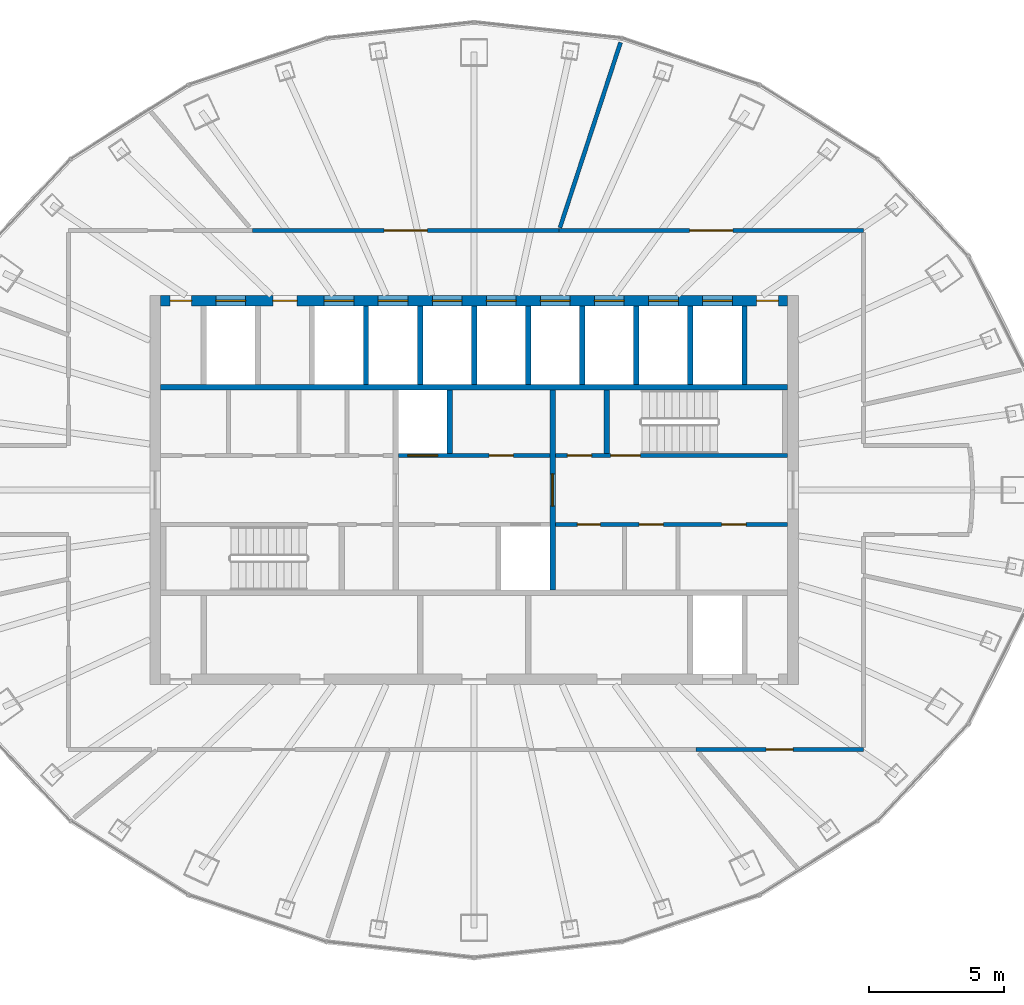
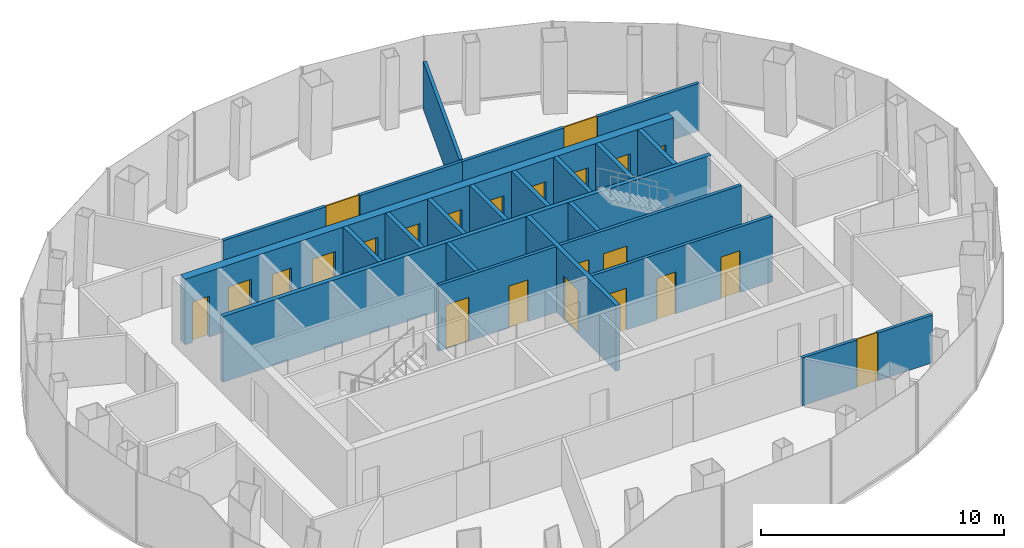
# One storey, part 9 of 11: 23 doors, 20 walls, 23 openings.
"""IFC4 building model written with IfcOpenShell, lengths in metres."""

from ifc_helpers import new_model, si_unit, direction, frame, frame_2d, origin, place, context, subcontext, project, spatial, rectangle, extrude, material, layer, layer_set, type_object, element, fill, save


model = new_model("IFC4")

# Units and contexts
model_context = context("Model", 3, precision=1e-05, world=origin(), true_north=direction((0.0, 1.0)))
body_context = subcontext(model_context, "Body", "Model", "MODEL_VIEW")
ifc_project = project(units=[si_unit("LENGTHUNIT", "METRE"), si_unit("AREAUNIT", "SQUARE_METRE"), si_unit("VOLUMEUNIT", "CUBIC_METRE"), si_unit("PLANEANGLEUNIT", "RADIAN"), si_unit("MASSUNIT", "GRAM", prefix="KILO")], contexts=[model_context])

# Site, building, storey
site_placement = place(None, origin())
site = spatial("IfcSite", under=ifc_project, at=site_placement, CompositionType="ELEMENT")
building_placement = place(site_placement, origin())
building = spatial("IfcBuilding", under=site, at=building_placement, Name="Siaravel Broadcast Tower", CompositionType="ELEMENT")
storey_placement = place(building_placement, frame((0.0, 0.0, 243.0)))
storey = spatial("IfcBuildingStorey", under=building, at=storey_placement, Name="L59", CompositionType="ELEMENT", Elevation=243.0)

# Wall, openings, doors
ifc_material_1 = material(Name="Concrete C60/75", Category="concrete")
ifc_layer_1 = layer(ifc_material_1, 0.39990234375)
ifc_layer_set_1 = layer_set([ifc_layer_1], Name="Concrete C60/75")
wall_type_1 = type_object("IfcWallType", Name="Core wall 400", PredefinedType="SHEAR", material=ifc_layer_set_1)
wall_1_placement = place(storey_placement, frame((-11.60009765625, 7.0, 0.0), z_axis=(0.0, 0.0, 1.0), x_axis=(1.0, 0.0, 0.0)))
wall_1 = element("IfcWall", 1, at=wall_1_placement, inside=storey, type_object=wall_type_1, Name="L59 core wall ON", PredefinedType="SHEAR", context=body_context, shape_type="SweptSolid", body=[
    extrude(rectangle(XDim=23.2001953125, YDim=0.39990234375, at=frame_2d((11.60009765625, 0.0))), origin(), (0.0, 0.0, 1.0), 3.300048828125),
])
opening_1_placement = place(wall_1_placement, frame((2.050048828125, 0.0, 0.0)))
opening_1 = element("IfcOpeningElement", 2, at=opening_1_placement, cuts=wall_1, Name="Opening LD-SV2-L59", PredefinedType="OPENING", context=body_context, shape_type="SweptSolid", body=[
    extrude(rectangle(XDim=1.10009765625, YDim=2.199951171875, at=frame_2d((0.550048828125, 1.10009765625))), frame((0.0, 0.2099609375, 0.0), z_axis=(0.0, -1.0, 0.0), x_axis=(1.0, 0.0, 0.0)), (0.0, 0.0, 1.0), 0.419921875),
])
opening_2_placement = place(wall_1_placement, frame((6.050048828125, 0.0, 0.0)))
opening_2 = element("IfcOpeningElement", 3, at=opening_2_placement, cuts=wall_1, Name="Opening LD-HP1-L59", PredefinedType="OPENING", context=body_context, shape_type="SweptSolid", body=[
    extrude(rectangle(XDim=1.10009765625, YDim=2.199951171875, at=frame_2d((0.550048828125, 1.10009765625))), frame((0.0, 0.2099609375, 0.0), z_axis=(0.0, -1.0, 0.0), x_axis=(1.0, 0.0, 0.0)), (0.0, 0.0, 1.0), 0.419921875),
])
opening_3_placement = place(wall_1_placement, frame((8.050048828125, 0.0, 0.0)))
opening_3 = element("IfcOpeningElement", 4, at=opening_3_placement, cuts=wall_1, Name="Opening LD-HP2-L59", PredefinedType="OPENING", context=body_context, shape_type="SweptSolid", body=[
    extrude(rectangle(XDim=1.10009765625, YDim=2.199951171875, at=frame_2d((0.550048828125, 1.10009765625))), frame((0.0, 0.2099609375, 0.0), z_axis=(0.0, -1.0, 0.0), x_axis=(1.0, 0.0, 0.0)), (0.0, 0.0, 1.0), 0.419921875),
])
opening_4_placement = place(wall_1_placement, frame((10.050048828125, 0.0, 0.0)))
opening_4 = element("IfcOpeningElement", 5, at=opening_4_placement, cuts=wall_1, Name="Opening LD-HP3-L59", PredefinedType="OPENING", context=body_context, shape_type="SweptSolid", body=[
    extrude(rectangle(XDim=1.10009765625, YDim=2.199951171875, at=frame_2d((0.550048828125, 1.10009765625))), frame((0.0, 0.2099609375, 0.0), z_axis=(0.0, -1.0, 0.0), x_axis=(1.0, 0.0, 0.0)), (0.0, 0.0, 1.0), 0.419921875),
])
opening_5_placement = place(wall_1_placement, frame((12.050048828125, 0.0, 0.0)))
opening_5 = element("IfcOpeningElement", 6, at=opening_5_placement, cuts=wall_1, Name="Opening LD-HP4-L59", PredefinedType="OPENING", context=body_context, shape_type="SweptSolid", body=[
    extrude(rectangle(XDim=1.10009765625, YDim=2.199951171875, at=frame_2d((0.550048828125, 1.10009765625))), frame((0.0, 0.2099609375, 0.0), z_axis=(0.0, -1.0, 0.0), x_axis=(1.0, 0.0, 0.0)), (0.0, 0.0, 1.0), 0.419921875),
])
opening_6_placement = place(wall_1_placement, frame((14.050048828125, 0.0, 0.0)))
opening_6 = element("IfcOpeningElement", 7, at=opening_6_placement, cuts=wall_1, Name="Opening LD-HP5-L59", PredefinedType="OPENING", context=body_context, shape_type="SweptSolid", body=[
    extrude(rectangle(XDim=1.10009765625, YDim=2.199951171875, at=frame_2d((0.550048828125, 1.10009765625))), frame((0.0, 0.2099609375, 0.0), z_axis=(0.0, -1.0, 0.0), x_axis=(1.0, 0.0, 0.0)), (0.0, 0.0, 1.0), 0.419921875),
])
opening_7_placement = place(wall_1_placement, frame((16.050048828125, 0.0, 0.0)))
opening_7 = element("IfcOpeningElement", 8, at=opening_7_placement, cuts=wall_1, Name="Opening LD-HP6-L59", PredefinedType="OPENING", context=body_context, shape_type="SweptSolid", body=[
    extrude(rectangle(XDim=1.10009765625, YDim=2.199951171875, at=frame_2d((0.550048828125, 1.10009765625))), frame((0.0, 0.2099609375, 0.0), z_axis=(0.0, -1.0, 0.0), x_axis=(1.0, 0.0, 0.0)), (0.0, 0.0, 1.0), 0.419921875),
])
opening_8_placement = place(wall_1_placement, frame((18.050048828125, 0.0, 0.0)))
opening_8 = element("IfcOpeningElement", 9, at=opening_8_placement, cuts=wall_1, Name="Opening LD-HP7-L59", PredefinedType="OPENING", context=body_context, shape_type="SweptSolid", body=[
    extrude(rectangle(XDim=1.10009765625, YDim=2.199951171875, at=frame_2d((0.550048828125, 1.10009765625))), frame((0.0, 0.2099609375, 0.0), z_axis=(0.0, -1.0, 0.0), x_axis=(1.0, 0.0, 0.0)), (0.0, 0.0, 1.0), 0.419921875),
])
opening_9_placement = place(wall_1_placement, frame((20.050048828125, 0.0, 0.0)))
opening_9 = element("IfcOpeningElement", 10, at=opening_9_placement, cuts=wall_1, Name="Opening LD-HP8-L59", PredefinedType="OPENING", context=body_context, shape_type="SweptSolid", body=[
    extrude(rectangle(XDim=1.10009765625, YDim=2.199951171875, at=frame_2d((0.550048828125, 1.10009765625))), frame((0.0, 0.2099609375, 0.0), z_axis=(0.0, -1.0, 0.0), x_axis=(1.0, 0.0, 0.0)), (0.0, 0.0, 1.0), 0.419921875),
])
opening_10_placement = place(wall_1_placement, frame((4.14990234375, 0.0, 0.0)))
opening_10 = element("IfcOpeningElement", 11, at=opening_10_placement, cuts=wall_1, Name="Opening L59-DFN1", PredefinedType="OPENING", context=body_context, shape_type="SweptSolid", body=[
    extrude(rectangle(XDim=0.89990234375, YDim=2.10009765625, at=frame_2d((0.449951171875, 1.050048828125))), frame((0.0, 0.2099609375, 0.0), z_axis=(0.0, -1.0, 0.0), x_axis=(1.0, 0.0, 0.0)), (0.0, 0.0, 1.0), 0.419921875),
])
opening_11_placement = place(wall_1_placement, frame((0.35009765625, 0.0, 0.0)))
opening_11 = element("IfcOpeningElement", 12, at=opening_11_placement, cuts=wall_1, Name="Opening L59-DRNW", PredefinedType="OPENING", context=body_context, shape_type="SweptSolid", body=[
    extrude(rectangle(XDim=0.800048828125, YDim=2.050048828125, at=frame_2d((0.39990234375, 1.02490234375))), frame((0.0, 0.2099609375, 0.0), z_axis=(0.0, -1.0, 0.0), x_axis=(1.0, 0.0, 0.0)), (0.0, 0.0, 1.0), 0.419921875),
])
opening_12_placement = place(wall_1_placement, frame((22.050048828125, 0.0, 0.0)))
opening_12 = element("IfcOpeningElement", 13, at=opening_12_placement, cuts=wall_1, Name="Opening L59-DRNE", PredefinedType="OPENING", context=body_context, shape_type="SweptSolid", body=[
    extrude(rectangle(XDim=0.800048828125, YDim=2.050048828125, at=frame_2d((0.39990234375, 1.02490234375))), frame((0.0, 0.2099609375, 0.0), z_axis=(0.0, -1.0, 0.0), x_axis=(1.0, 0.0, 0.0)), (0.0, 0.0, 1.0), 0.419921875),
])
ifc_material_2 = material(Name="Timber veneer", Category="wood")
door_type_1 = type_object("IfcDoorType", Name="Core room door 900", OperationType="SINGLE_SWING_LEFT", PredefinedType="DOOR", material=ifc_material_2)
door_1_placement = place(opening_10_placement, origin())
door_1 = element("IfcDoor", 14, at=door_1_placement, inside=storey, type_object=door_type_1, Name="L59 door DFN1", OperationType="SINGLE_SWING_LEFT", OverallHeight=2.10009765625, OverallWidth=0.89990234375, PredefinedType="DOOR", context=body_context, shape_type="SweptSolid", body=[
    extrude(rectangle(XDim=0.89990234375, YDim=2.10009765625, at=frame_2d((0.449951171875, 1.050048828125))), frame((0.0, 0.02490234375, 0.0), z_axis=(0.0, -1.0, 0.0), x_axis=(1.0, 0.0, 0.0)), (0.0, 0.0, 1.0), 0.050048828125),
])
fill(opening_10, door_1)
ifc_material_3 = material(Name="Stainless steel 316L", Category="steel")
door_type_2 = type_object("IfcDoorType", Name="Lift landing door 1100", OperationType="DOUBLE_DOOR_SLIDING", PredefinedType="DOOR", material=ifc_material_3)
door_2_placement = place(opening_2_placement, origin())
door_2 = element("IfcDoor", 15, at=door_2_placement, inside=storey, type_object=door_type_2, Name="Landing door HP1 L59", OperationType="DOUBLE_DOOR_SLIDING", OverallHeight=2.199951171875, OverallWidth=1.10009765625, PredefinedType="DOOR", context=body_context, shape_type="SweptSolid", body=[
    extrude(rectangle(XDim=1.10009765625, YDim=2.199951171875, at=frame_2d((0.550048828125, 1.10009765625))), frame((0.0, 0.02490234375, 0.0), z_axis=(0.0, -1.0, 0.0), x_axis=(1.0, 0.0, 0.0)), (0.0, 0.0, 1.0), 0.050048828125),
])
fill(opening_2, door_2)
door_3_placement = place(opening_3_placement, origin())
door_3 = element("IfcDoor", 16, at=door_3_placement, inside=storey, type_object=door_type_2, Name="Landing door HP2 L59", OperationType="DOUBLE_DOOR_SLIDING", OverallHeight=2.199951171875, OverallWidth=1.10009765625, PredefinedType="DOOR", context=body_context, shape_type="SweptSolid", body=[
    extrude(rectangle(XDim=1.10009765625, YDim=2.199951171875, at=frame_2d((0.550048828125, 1.10009765625))), frame((0.0, 0.02490234375, 0.0), z_axis=(0.0, -1.0, 0.0), x_axis=(1.0, 0.0, 0.0)), (0.0, 0.0, 1.0), 0.050048828125),
])
fill(opening_3, door_3)
door_4_placement = place(opening_4_placement, origin())
door_4 = element("IfcDoor", 17, at=door_4_placement, inside=storey, type_object=door_type_2, Name="Landing door HP3 L59", OperationType="DOUBLE_DOOR_SLIDING", OverallHeight=2.199951171875, OverallWidth=1.10009765625, PredefinedType="DOOR", context=body_context, shape_type="SweptSolid", body=[
    extrude(rectangle(XDim=1.10009765625, YDim=2.199951171875, at=frame_2d((0.550048828125, 1.10009765625))), frame((0.0, 0.02490234375, 0.0), z_axis=(0.0, -1.0, 0.0), x_axis=(1.0, 0.0, 0.0)), (0.0, 0.0, 1.0), 0.050048828125),
])
fill(opening_4, door_4)
door_5_placement = place(opening_5_placement, origin())
door_5 = element("IfcDoor", 18, at=door_5_placement, inside=storey, type_object=door_type_2, Name="Landing door HP4 L59", OperationType="DOUBLE_DOOR_SLIDING", OverallHeight=2.199951171875, OverallWidth=1.10009765625, PredefinedType="DOOR", context=body_context, shape_type="SweptSolid", body=[
    extrude(rectangle(XDim=1.10009765625, YDim=2.199951171875, at=frame_2d((0.550048828125, 1.10009765625))), frame((0.0, 0.02490234375, 0.0), z_axis=(0.0, -1.0, 0.0), x_axis=(1.0, 0.0, 0.0)), (0.0, 0.0, 1.0), 0.050048828125),
])
fill(opening_5, door_5)
door_6_placement = place(opening_6_placement, origin())
door_6 = element("IfcDoor", 19, at=door_6_placement, inside=storey, type_object=door_type_2, Name="Landing door HP5 L59", OperationType="DOUBLE_DOOR_SLIDING", OverallHeight=2.199951171875, OverallWidth=1.10009765625, PredefinedType="DOOR", context=body_context, shape_type="SweptSolid", body=[
    extrude(rectangle(XDim=1.10009765625, YDim=2.199951171875, at=frame_2d((0.550048828125, 1.10009765625))), frame((0.0, 0.02490234375, 0.0), z_axis=(0.0, -1.0, 0.0), x_axis=(1.0, 0.0, 0.0)), (0.0, 0.0, 1.0), 0.050048828125),
])
fill(opening_6, door_6)
door_7_placement = place(opening_7_placement, origin())
door_7 = element("IfcDoor", 20, at=door_7_placement, inside=storey, type_object=door_type_2, Name="Landing door HP6 L59", OperationType="DOUBLE_DOOR_SLIDING", OverallHeight=2.199951171875, OverallWidth=1.10009765625, PredefinedType="DOOR", context=body_context, shape_type="SweptSolid", body=[
    extrude(rectangle(XDim=1.10009765625, YDim=2.199951171875, at=frame_2d((0.550048828125, 1.10009765625))), frame((0.0, 0.02490234375, 0.0), z_axis=(0.0, -1.0, 0.0), x_axis=(1.0, 0.0, 0.0)), (0.0, 0.0, 1.0), 0.050048828125),
])
fill(opening_7, door_7)
door_8_placement = place(opening_8_placement, origin())
door_8 = element("IfcDoor", 21, at=door_8_placement, inside=storey, type_object=door_type_2, Name="Landing door HP7 L59", OperationType="DOUBLE_DOOR_SLIDING", OverallHeight=2.199951171875, OverallWidth=1.10009765625, PredefinedType="DOOR", context=body_context, shape_type="SweptSolid", body=[
    extrude(rectangle(XDim=1.10009765625, YDim=2.199951171875, at=frame_2d((0.550048828125, 1.10009765625))), frame((0.0, 0.02490234375, 0.0), z_axis=(0.0, -1.0, 0.0), x_axis=(1.0, 0.0, 0.0)), (0.0, 0.0, 1.0), 0.050048828125),
])
fill(opening_8, door_8)
door_9_placement = place(opening_9_placement, origin())
door_9 = element("IfcDoor", 22, at=door_9_placement, inside=storey, type_object=door_type_2, Name="Landing door HP8 L59", OperationType="DOUBLE_DOOR_SLIDING", OverallHeight=2.199951171875, OverallWidth=1.10009765625, PredefinedType="DOOR", context=body_context, shape_type="SweptSolid", body=[
    extrude(rectangle(XDim=1.10009765625, YDim=2.199951171875, at=frame_2d((0.550048828125, 1.10009765625))), frame((0.0, 0.02490234375, 0.0), z_axis=(0.0, -1.0, 0.0), x_axis=(1.0, 0.0, 0.0)), (0.0, 0.0, 1.0), 0.050048828125),
])
fill(opening_9, door_9)
ifc_material_4 = material(Name="Steel", Category="steel")
door_type_3 = type_object("IfcDoorType", Name="Riser door 800", OperationType="SINGLE_SWING_LEFT", PredefinedType="DOOR", material=ifc_material_4)
door_10_placement = place(opening_11_placement, origin())
door_10 = element("IfcDoor", 23, at=door_10_placement, inside=storey, type_object=door_type_3, Name="L59 door DRNW", OperationType="SINGLE_SWING_LEFT", OverallHeight=2.050048828125, OverallWidth=0.800048828125, PredefinedType="DOOR", context=body_context, shape_type="SweptSolid", body=[
    extrude(rectangle(XDim=0.800048828125, YDim=2.050048828125, at=frame_2d((0.39990234375, 1.02490234375))), frame((0.0, 0.02490234375, 0.0), z_axis=(0.0, -1.0, 0.0), x_axis=(1.0, 0.0, 0.0)), (0.0, 0.0, 1.0), 0.050048828125),
])
fill(opening_11, door_10)
door_11_placement = place(opening_12_placement, origin())
door_11 = element("IfcDoor", 24, at=door_11_placement, inside=storey, type_object=door_type_3, Name="L59 door DRNE", OperationType="SINGLE_SWING_LEFT", OverallHeight=2.050048828125, OverallWidth=0.800048828125, PredefinedType="DOOR", context=body_context, shape_type="SweptSolid", body=[
    extrude(rectangle(XDim=0.800048828125, YDim=2.050048828125, at=frame_2d((0.39990234375, 1.02490234375))), frame((0.0, 0.02490234375, 0.0), z_axis=(0.0, -1.0, 0.0), x_axis=(1.0, 0.0, 0.0)), (0.0, 0.0, 1.0), 0.050048828125),
])
fill(opening_12, door_11)
door_type_4 = type_object("IfcDoorType", Name="Service lift landing door 1100", OperationType="DOUBLE_DOOR_SLIDING", PredefinedType="DOOR", material=ifc_material_3)
door_12_placement = place(opening_1_placement, origin())
door_12 = element("IfcDoor", 25, at=door_12_placement, inside=storey, type_object=door_type_4, Name="Landing door SV2 L59", OperationType="DOUBLE_DOOR_SLIDING", OverallHeight=2.199951171875, OverallWidth=1.10009765625, PredefinedType="DOOR", context=body_context, shape_type="SweptSolid", body=[
    extrude(rectangle(XDim=1.10009765625, YDim=2.199951171875, at=frame_2d((0.550048828125, 1.10009765625))), frame((0.0, 0.02490234375, 0.0), z_axis=(0.0, -1.0, 0.0), x_axis=(1.0, 0.0, 0.0)), (0.0, 0.0, 1.0), 0.050048828125),
])
fill(opening_1, door_12)

ifc_material_5 = material(Name="Gypsum board partition", Category="gypsum")
ifc_layer_2 = layer(ifc_material_5, 0.14990234375)
ifc_layer_set_2 = layer_set([ifc_layer_2], Name="Gypsum board partition")
wall_type_2 = type_object("IfcWallType", Name="Corridor wall 150", PredefinedType="PARTITIONING", material=ifc_layer_set_2)
wall_2_placement = place(storey_placement, frame((3.0, -1.27490234375, 0.0), z_axis=(0.0, 0.0, 1.0), x_axis=(1.0, 0.0, 0.0)))
wall_2 = element("IfcWall", 26, at=wall_2_placement, inside=storey, type_object=wall_type_2, Name="L59 core partition CSE", PredefinedType="PARTITIONING", context=body_context, shape_type="SweptSolid", body=[
    extrude(rectangle(XDim=8.60009765625, YDim=0.14990234375, at=frame_2d((4.300048828125, 0.0))), origin(), (0.0, 0.0, 1.0), 3.300048828125),
])
opening_13_placement = place(wall_2_placement, frame((0.820068359375, 0.0, 0.0)))
opening_13 = element("IfcOpeningElement", 27, at=opening_13_placement, cuts=wall_2, Name="Opening L59-DSE0", PredefinedType="OPENING", context=body_context, shape_type="SweptSolid", body=[
    extrude(rectangle(XDim=0.85009765625, YDim=2.10009765625, at=frame_2d((0.425048828125, 1.050048828125))), frame((0.0, 0.0849609375, 0.0), z_axis=(0.0, -1.0, 0.0), x_axis=(1.0, 0.0, 0.0)), (0.0, 0.0, 1.0), 0.169921875),
])
opening_14_placement = place(wall_2_placement, frame((3.10302734375, 0.0, 0.0)))
opening_14 = element("IfcOpeningElement", 28, at=opening_14_placement, cuts=wall_2, Name="Opening L59-DSE1", PredefinedType="OPENING", context=body_context, shape_type="SweptSolid", body=[
    extrude(rectangle(XDim=0.89990234375, YDim=2.10009765625, at=frame_2d((0.449951171875, 1.050048828125))), frame((0.0, 0.0849609375, 0.0), z_axis=(0.0, -1.0, 0.0), x_axis=(1.0, 0.0, 0.0)), (0.0, 0.0, 1.0), 0.169921875),
])
opening_15_placement = place(wall_2_placement, frame((6.157958984375, 0.0, 0.0)))
opening_15 = element("IfcOpeningElement", 29, at=opening_15_placement, cuts=wall_2, Name="Opening L59-DSE2", PredefinedType="OPENING", context=body_context, shape_type="SweptSolid", body=[
    extrude(rectangle(XDim=0.89990234375, YDim=2.10009765625, at=frame_2d((0.449951171875, 1.050048828125))), frame((0.0, 0.0849609375, 0.0), z_axis=(0.0, -1.0, 0.0), x_axis=(1.0, 0.0, 0.0)), (0.0, 0.0, 1.0), 0.169921875),
])
door_13_placement = place(opening_14_placement, origin())
door_13 = element("IfcDoor", 30, at=door_13_placement, inside=storey, type_object=door_type_1, Name="L59 door DSE1", OperationType="SINGLE_SWING_LEFT", OverallHeight=2.10009765625, OverallWidth=0.89990234375, PredefinedType="DOOR", context=body_context, shape_type="SweptSolid", body=[
    extrude(rectangle(XDim=0.89990234375, YDim=2.10009765625, at=frame_2d((0.449951171875, 1.050048828125))), frame((0.0, 0.02490234375, 0.0), z_axis=(0.0, -1.0, 0.0), x_axis=(1.0, 0.0, 0.0)), (0.0, 0.0, 1.0), 0.050048828125),
])
fill(opening_14, door_13)
door_14_placement = place(opening_15_placement, origin())
door_14 = element("IfcDoor", 31, at=door_14_placement, inside=storey, type_object=door_type_1, Name="L59 door DSE2", OperationType="SINGLE_SWING_LEFT", OverallHeight=2.10009765625, OverallWidth=0.89990234375, PredefinedType="DOOR", context=body_context, shape_type="SweptSolid", body=[
    extrude(rectangle(XDim=0.89990234375, YDim=2.10009765625, at=frame_2d((0.449951171875, 1.050048828125))), frame((0.0, 0.02490234375, 0.0), z_axis=(0.0, -1.0, 0.0), x_axis=(1.0, 0.0, 0.0)), (0.0, 0.0, 1.0), 0.050048828125),
])
fill(opening_15, door_14)
door_type_5 = type_object("IfcDoorType", Name="Core toilet door 850", OperationType="SINGLE_SWING_LEFT", PredefinedType="DOOR", material=ifc_material_2)
door_15_placement = place(opening_13_placement, origin())
door_15 = element("IfcDoor", 32, at=door_15_placement, inside=storey, type_object=door_type_5, Name="L59 door DSE0", OperationType="SINGLE_SWING_LEFT", OverallHeight=2.10009765625, OverallWidth=0.85009765625, PredefinedType="DOOR", context=body_context, shape_type="SweptSolid", body=[
    extrude(rectangle(XDim=0.85009765625, YDim=2.10009765625, at=frame_2d((0.425048828125, 1.050048828125))), frame((0.0, 0.02490234375, 0.0), z_axis=(0.0, -1.0, 0.0), x_axis=(1.0, 0.0, 0.0)), (0.0, 0.0, 1.0), 0.050048828125),
])
fill(opening_13, door_15)

# Wall, opening, door
wall_3_placement = place(storey_placement, frame((3.140380859375, 9.60009765625, 0.0), z_axis=(0.0, 0.0, 1.0), x_axis=(-1.0, 0.0, 0.0)))
wall_3 = element("IfcWall", 33, at=wall_3_placement, inside=storey, type_object=wall_type_2, Name="L59 partition 2", PredefinedType="PARTITIONING", context=body_context, shape_type="SweptSolid", body=[
    extrude(rectangle(XDim=11.346923828125, YDim=0.14990234375, at=frame_2d((5.67333984375, 0.0))), origin(), (0.0, 0.0, 1.0), 2.39990234375),
])
opening_16_placement = place(wall_3_placement, frame((4.873291015625, 0.0, 0.0)))
opening_16 = element("IfcOpeningElement", 34, at=opening_16_placement, cuts=wall_3, Name="Opening L59-008", PredefinedType="OPENING", context=body_context, shape_type="SweptSolid", body=[
    extrude(rectangle(XDim=1.60009765625, YDim=2.39990234375, at=frame_2d((0.800048828125, 1.199951171875))), frame((0.0, 0.0849609375, 0.0), z_axis=(0.0, -1.0, 0.0), x_axis=(1.0, 0.0, 0.0)), (0.0, 0.0, 1.0), 0.169921875),
])
door_type_6 = type_object("IfcDoorType", Name="Restaurant double door 1600", OperationType="DOUBLE_DOOR_SINGLE_SWING", PredefinedType="DOOR", material=ifc_material_2)
door_16_placement = place(opening_16_placement, origin())
door_16 = element("IfcDoor", 35, at=door_16_placement, inside=storey, type_object=door_type_6, Name="L59 door to Restaurant", OperationType="DOUBLE_DOOR_SINGLE_SWING", OverallHeight=2.39990234375, OverallWidth=1.60009765625, PredefinedType="DOOR", context=body_context, shape_type="SweptSolid", body=[
    extrude(rectangle(XDim=1.60009765625, YDim=2.39990234375, at=frame_2d((0.800048828125, 1.199951171875))), frame((0.0, 0.02490234375, 0.0), z_axis=(0.0, -1.0, 0.0), x_axis=(1.0, 0.0, 0.0)), (0.0, 0.0, 1.0), 0.050048828125),
])
fill(opening_16, door_16)

wall_4_placement = place(storey_placement, frame((14.39990234375, 9.60009765625, 0.0), z_axis=(0.0, 0.0, 1.0), x_axis=(-1.0, 0.0, 0.0)))
wall_4 = element("IfcWall", 36, at=wall_4_placement, inside=storey, type_object=wall_type_2, Name="L59 partition 3", PredefinedType="PARTITIONING", context=body_context, shape_type="SweptSolid", body=[
    extrude(rectangle(XDim=11.258544921875, YDim=0.14990234375, at=frame_2d((5.62939453125, 0.0))), origin(), (0.0, 0.0, 1.0), 2.39990234375),
])
opening_17_placement = place(wall_4_placement, frame((4.829345703125, 0.0, 0.0)))
opening_17 = element("IfcOpeningElement", 37, at=opening_17_placement, cuts=wall_4, Name="Opening L59-007", PredefinedType="OPENING", context=body_context, shape_type="SweptSolid", body=[
    extrude(rectangle(XDim=1.60009765625, YDim=2.39990234375, at=frame_2d((0.800048828125, 1.199951171875))), frame((0.0, 0.0849609375, 0.0), z_axis=(0.0, -1.0, 0.0), x_axis=(1.0, 0.0, 0.0)), (0.0, 0.0, 1.0), 0.169921875),
])
door_17_placement = place(opening_17_placement, origin())
door_17 = element("IfcDoor", 38, at=door_17_placement, inside=storey, type_object=door_type_6, Name="L59 door to Restaurant", OperationType="DOUBLE_DOOR_SINGLE_SWING", OverallHeight=2.39990234375, OverallWidth=1.60009765625, PredefinedType="DOOR", context=body_context, shape_type="SweptSolid", body=[
    extrude(rectangle(XDim=1.60009765625, YDim=2.39990234375, at=frame_2d((0.800048828125, 1.199951171875))), frame((0.0, 0.02490234375, 0.0), z_axis=(0.0, -1.0, 0.0), x_axis=(1.0, 0.0, 0.0)), (0.0, 0.0, 1.0), 0.050048828125),
])
fill(opening_17, door_17)

wall_5_placement = place(storey_placement, frame((8.20654296875, -9.60009765625, 0.0), z_axis=(0.0, 0.0, 1.0), x_axis=(1.0, 0.0, 0.0)))
wall_5 = element("IfcWall", 39, at=wall_5_placement, inside=storey, type_object=wall_type_2, Name="L59 partition 8", PredefinedType="PARTITIONING", context=body_context, shape_type="SweptSolid", body=[
    extrude(rectangle(XDim=6.193359375, YDim=0.14990234375, at=frame_2d((3.0966796875, 0.0))), origin(), (0.0, 0.0, 1.0), 2.39990234375),
])
opening_18_placement = place(wall_5_placement, frame((2.5966796875, 0.0, 0.0)))
opening_18 = element("IfcOpeningElement", 40, at=opening_18_placement, cuts=wall_5, Name="Opening L59-005", PredefinedType="OPENING", context=body_context, shape_type="SweptSolid", body=[
    extrude(rectangle(XDim=1.0, YDim=2.39990234375, at=frame_2d((0.5, 1.199951171875))), frame((0.0, 0.0849609375, 0.0), z_axis=(0.0, -1.0, 0.0), x_axis=(1.0, 0.0, 0.0)), (0.0, 0.0, 1.0), 0.169921875),
])
door_type_7 = type_object("IfcDoorType", Name="Executive office door 1000", OperationType="SINGLE_SWING_LEFT", PredefinedType="DOOR", material=ifc_material_2)
door_18_placement = place(opening_18_placement, origin())
door_18 = element("IfcDoor", 41, at=door_18_placement, inside=storey, type_object=door_type_7, Name="L59 door to Executive office", OperationType="SINGLE_SWING_LEFT", OverallHeight=2.39990234375, OverallWidth=1.0, PredefinedType="DOOR", context=body_context, shape_type="SweptSolid", body=[
    extrude(rectangle(XDim=1.0, YDim=2.39990234375, at=frame_2d((0.5, 1.199951171875))), frame((0.0, 0.02490234375, 0.0), z_axis=(0.0, -1.0, 0.0), x_axis=(1.0, 0.0, 0.0)), (0.0, 0.0, 1.0), 0.050048828125),
])
fill(opening_18, door_18)

# Wall
ifc_layer_3 = layer(ifc_material_5, 0.14990234375)
ifc_layer_set_3 = layer_set([ifc_layer_3], Name="Gypsum board partition")
wall_type_3 = type_object("IfcWallType", Name="Room partition 150", PredefinedType="PARTITIONING", material=ifc_layer_set_3)
wall_6_placement = place(storey_placement, frame((5.4150390625, 16.553955078125, 0.0), z_axis=(0.0, 0.0, 1.0), x_axis=(-0.31090061, -0.950442429, 0.0)))
element("IfcWall", 42, at=wall_6_placement, inside=storey, type_object=wall_type_3, Name="L59 partition 6", PredefinedType="PARTITIONING", context=body_context, shape_type="SweptSolid", body=[
    extrude(rectangle(XDim=7.211181640625, YDim=0.14990234375, at=frame_2d((3.60546875, 0.0))), origin(), (0.0, 0.0, 1.0), 2.39990234375),
])

# Wall, openings, doors
ifc_layer_4 = layer(ifc_material_1, 0.14990234375)
ifc_layer_set_4 = layer_set([ifc_layer_4], Name="Concrete C60/75")
wall_type_4 = type_object("IfcWallType", Name="Shaft wall 150", PredefinedType="SHEAR", material=ifc_layer_set_4)
wall_7_placement = place(storey_placement, frame((-2.800048828125, 1.27490234375, 0.0), z_axis=(0.0, 0.0, 1.0), x_axis=(1.0, 0.0, 0.0)))
wall_7 = element("IfcWall", 43, at=wall_7_placement, inside=storey, type_object=wall_type_4, Name="L59 core wall CNM", PredefinedType="SHEAR", context=body_context, shape_type="SweptSolid", body=[
    extrude(rectangle(XDim=5.60009765625, YDim=0.14990234375, at=frame_2d((2.800048828125, 0.0))), origin(), (0.0, 0.0, 1.0), 3.300048828125),
])
opening_19_placement = place(wall_7_placement, frame((0.35009765625, 0.0, 0.0)))
opening_19 = element("IfcOpeningElement", 44, at=opening_19_placement, cuts=wall_7, Name="Opening LD-FL1-L59", PredefinedType="OPENING", context=body_context, shape_type="SweptSolid", body=[
    extrude(rectangle(XDim=1.10009765625, YDim=2.199951171875, at=frame_2d((0.550048828125, 1.10009765625))), frame((0.0, 0.0849609375, 0.0), z_axis=(0.0, -1.0, 0.0), x_axis=(1.0, 0.0, 0.0)), (0.0, 0.0, 1.0), 0.169921875),
])
opening_20_placement = place(wall_7_placement, frame((3.35009765625, 0.0, 0.0)))
opening_20 = element("IfcOpeningElement", 45, at=opening_20_placement, cuts=wall_7, Name="Opening L59-DNM0", PredefinedType="OPENING", context=body_context, shape_type="SweptSolid", body=[
    extrude(rectangle(XDim=0.89990234375, YDim=2.10009765625, at=frame_2d((0.449951171875, 1.050048828125))), frame((0.0, 0.0849609375, 0.0), z_axis=(0.0, -1.0, 0.0), x_axis=(1.0, 0.0, 0.0)), (0.0, 0.0, 1.0), 0.169921875),
])
door_19_placement = place(opening_20_placement, origin())
door_19 = element("IfcDoor", 46, at=door_19_placement, inside=storey, type_object=door_type_1, Name="L59 door DNM0", OperationType="SINGLE_SWING_LEFT", OverallHeight=2.10009765625, OverallWidth=0.89990234375, PredefinedType="DOOR", context=body_context, shape_type="SweptSolid", body=[
    extrude(rectangle(XDim=0.89990234375, YDim=2.10009765625, at=frame_2d((0.449951171875, 1.050048828125))), frame((0.0, 0.02490234375, 0.0), z_axis=(0.0, -1.0, 0.0), x_axis=(1.0, 0.0, 0.0)), (0.0, 0.0, 1.0), 0.050048828125),
])
fill(opening_20, door_19)
door_type_8 = type_object("IfcDoorType", Name="Firefighting lift landing door 1100", OperationType="DOUBLE_DOOR_SLIDING", PredefinedType="DOOR", material=ifc_material_3)
door_20_placement = place(opening_19_placement, origin())
door_20 = element("IfcDoor", 47, at=door_20_placement, inside=storey, type_object=door_type_8, Name="Landing door FL1 L59", OperationType="DOUBLE_DOOR_SLIDING", OverallHeight=2.199951171875, OverallWidth=1.10009765625, PredefinedType="DOOR", context=body_context, shape_type="SweptSolid", body=[
    extrude(rectangle(XDim=1.10009765625, YDim=2.199951171875, at=frame_2d((0.550048828125, 1.10009765625))), frame((0.0, 0.02490234375, 0.0), z_axis=(0.0, -1.0, 0.0), x_axis=(1.0, 0.0, 0.0)), (0.0, 0.0, 1.0), 0.050048828125),
])
fill(opening_19, door_20)

wall_8_placement = place(storey_placement, frame((3.0, 1.27490234375, 0.0), z_axis=(0.0, 0.0, 1.0), x_axis=(1.0, 0.0, 0.0)))
wall_8 = element("IfcWall", 48, at=wall_8_placement, inside=storey, type_object=wall_type_4, Name="L59 core wall CNE", PredefinedType="SHEAR", context=body_context, shape_type="SweptSolid", body=[
    extrude(rectangle(XDim=8.60009765625, YDim=0.14990234375, at=frame_2d((4.300048828125, 0.0))), origin(), (0.0, 0.0, 1.0), 3.300048828125),
])
opening_21_placement = place(wall_8_placement, frame((2.050048828125, 0.0, 0.0)))
opening_21 = element("IfcOpeningElement", 49, at=opening_21_placement, cuts=wall_8, Name="Opening L59-DS-2", PredefinedType="OPENING", context=body_context, shape_type="SweptSolid", body=[
    extrude(rectangle(XDim=1.10009765625, YDim=2.14990234375, at=frame_2d((0.550048828125, 1.074951171875))), frame((0.0, 0.0849609375, 0.0), z_axis=(0.0, -1.0, 0.0), x_axis=(1.0, 0.0, 0.0)), (0.0, 0.0, 1.0), 0.169921875),
])
opening_22_placement = place(wall_8_placement, frame((0.449951171875, 0.0, 0.0)))
opening_22 = element("IfcOpeningElement", 50, at=opening_22_placement, cuts=wall_8, Name="Opening L59-DNE0", PredefinedType="OPENING", context=body_context, shape_type="SweptSolid", body=[
    extrude(rectangle(XDim=0.89990234375, YDim=2.10009765625, at=frame_2d((0.449951171875, 1.050048828125))), frame((0.0, 0.0849609375, 0.0), z_axis=(0.0, -1.0, 0.0), x_axis=(1.0, 0.0, 0.0)), (0.0, 0.0, 1.0), 0.169921875),
])
door_21_placement = place(opening_22_placement, origin())
door_21 = element("IfcDoor", 51, at=door_21_placement, inside=storey, type_object=door_type_1, Name="L59 door DNE0", OperationType="SINGLE_SWING_LEFT", OverallHeight=2.10009765625, OverallWidth=0.89990234375, PredefinedType="DOOR", context=body_context, shape_type="SweptSolid", body=[
    extrude(rectangle(XDim=0.89990234375, YDim=2.10009765625, at=frame_2d((0.449951171875, 1.050048828125))), frame((0.0, 0.02490234375, 0.0), z_axis=(0.0, -1.0, 0.0), x_axis=(1.0, 0.0, 0.0)), (0.0, 0.0, 1.0), 0.050048828125),
])
fill(opening_22, door_21)
door_type_9 = type_object("IfcDoorType", Name="Stair door 1100", OperationType="SINGLE_SWING_LEFT", PredefinedType="DOOR", material=ifc_material_4)
door_22_placement = place(opening_21_placement, origin())
door_22 = element("IfcDoor", 52, at=door_22_placement, inside=storey, type_object=door_type_9, Name="L59 door DS-2", OperationType="SINGLE_SWING_LEFT", OverallHeight=2.14990234375, OverallWidth=1.10009765625, PredefinedType="DOOR", context=body_context, shape_type="SweptSolid", body=[
    extrude(rectangle(XDim=1.10009765625, YDim=2.14990234375, at=frame_2d((0.550048828125, 1.074951171875))), frame((0.0, 0.02490234375, 0.0), z_axis=(0.0, -1.0, 0.0), x_axis=(1.0, 0.0, 0.0)), (0.0, 0.0, 1.0), 0.050048828125),
])
fill(opening_21, door_22)

# Walls
ifc_layer_5 = layer(ifc_material_1, 0.199951171875)
ifc_layer_set_5 = layer_set([ifc_layer_5], Name="Concrete C60/75")
wall_type_5 = type_object("IfcWallType", Name="Shaft wall 200", PredefinedType="SHEAR", material=ifc_layer_set_5)
wall_9_placement = place(storey_placement, frame((-11.60009765625, 3.800048828125, 0.0), z_axis=(0.0, 0.0, 1.0), x_axis=(1.0, 0.0, 0.0)))
element("IfcWall", 53, at=wall_9_placement, inside=storey, type_object=wall_type_5, Name="L59 core wall BN", PredefinedType="SHEAR", context=body_context, shape_type="SweptSolid", body=[
    extrude(rectangle(XDim=23.2001953125, YDim=0.199951171875, at=frame_2d((11.60009765625, 0.0))), origin(), (0.0, 0.0, 1.0), 3.300048828125),
])
for number, where, z_axis, x_axis, name in (
    (54, (-4.0, 3.89990234375, 0.0), (0.0, 0.0, 1.0), (0.0, 1.0, 0.0), "L59 core wall SWN3"),
    (55, (-2.0, 3.89990234375, 0.0), (0.0, 0.0, 1.0), (0.0, 1.0, 0.0), "L59 core wall SWN4"),
    (56, (0.0, 3.89990234375, 0.0), (0.0, 0.0, 1.0), (0.0, 1.0, 0.0), "L59 core wall SWN5"),
    (57, (2.0, 3.89990234375, 0.0), (0.0, 0.0, 1.0), (0.0, 1.0, 0.0), "L59 core wall SWN6"),
    (58, (4.0, 3.89990234375, 0.0), (0.0, 0.0, 1.0), (0.0, 1.0, 0.0), "L59 core wall SWN7"),
    (59, (6.0, 3.89990234375, 0.0), (0.0, 0.0, 1.0), (0.0, 1.0, 0.0), "L59 core wall SWN8"),
    (60, (8.0, 3.89990234375, 0.0), (0.0, 0.0, 1.0), (0.0, 1.0, 0.0), "L59 core wall SWN9"),
    (61, (10.0, 3.89990234375, 0.0), (0.0, 0.0, 1.0), (0.0, 1.0, 0.0), "L59 core wall SWN10"),
):
    element("IfcWall", number, at=place(storey_placement, frame(where, z_axis=z_axis, x_axis=x_axis)), inside=storey, type_object=wall_type_5, Name=name, PredefinedType="SHEAR", context=body_context, shape_type="SweptSolid", body=[
        extrude(rectangle(XDim=2.900146484375, YDim=0.199951171875, at=frame_2d((1.4501953125, 0.0))), origin(), (0.0, 0.0, 1.0), 3.300048828125),
    ])

# Wall, opening, door
wall_10_placement = place(storey_placement, frame((2.89990234375, -3.699951171875, 0.0), z_axis=(0.0, 0.0, 1.0), x_axis=(0.0, 1.0, 0.0)))
wall_10 = element("IfcWall", 62, at=wall_10_placement, inside=storey, type_object=wall_type_5, Name="L59 core wall LE", PredefinedType="SHEAR", context=body_context, shape_type="SweptSolid", body=[
    extrude(rectangle(XDim=7.39990234375, YDim=0.199951171875, at=frame_2d((3.699951171875, 0.0))), origin(), (0.0, 0.0, 1.0), 3.300048828125),
])
opening_23_placement = place(wall_10_placement, frame((3.10009765625, 0.0, 0.0)))
opening_23 = element("IfcOpeningElement", 63, at=opening_23_placement, cuts=wall_10, Name="Opening L59-DL-E", PredefinedType="OPENING", context=body_context, shape_type="SweptSolid", body=[
    extrude(rectangle(XDim=1.199951171875, YDim=2.199951171875, at=frame_2d((0.60009765625, 1.10009765625))), frame((0.0, 0.10986328125, 0.0), z_axis=(0.0, -1.0, 0.0), x_axis=(1.0, 0.0, 0.0)), (0.0, 0.0, 1.0), 0.219970703125),
])
door_type_10 = type_object("IfcDoorType", Name="Firefighting lobby door 1200", OperationType="SINGLE_SWING_LEFT", PredefinedType="DOOR", material=ifc_material_4)
door_23_placement = place(opening_23_placement, origin())
door_23 = element("IfcDoor", 64, at=door_23_placement, inside=storey, type_object=door_type_10, Name="L59 door DL-E", OperationType="SINGLE_SWING_LEFT", OverallHeight=2.199951171875, OverallWidth=1.199951171875, PredefinedType="DOOR", context=body_context, shape_type="SweptSolid", body=[
    extrude(rectangle(XDim=1.199951171875, YDim=2.199951171875, at=frame_2d((0.60009765625, 1.10009765625))), frame((0.0, 0.02490234375, 0.0), z_axis=(0.0, -1.0, 0.0), x_axis=(1.0, 0.0, 0.0)), (0.0, 0.0, 1.0), 0.050048828125),
])
fill(opening_23, door_23)

# Walls
for number, where, z_axis, x_axis, name in (
    (65, (-0.89990234375, 1.35009765625, 0.0), (0.0, 0.0, 1.0), (0.0, 1.0, 0.0), "L59 core wall FF1E"),
    (66, (4.89990234375, 1.35009765625, 0.0), (0.0, 0.0, 1.0), (0.0, 1.0, 0.0), "L59 core wall ST2W"),
):
    element("IfcWall", number, at=place(storey_placement, frame(where, z_axis=z_axis, x_axis=x_axis)), inside=storey, type_object=wall_type_5, Name=name, PredefinedType="SHEAR", context=body_context, shape_type="SweptSolid", body=[
        extrude(rectangle(XDim=2.349853515625, YDim=0.199951171875, at=frame_2d((1.1748046875, 0.0))), origin(), (0.0, 0.0, 1.0), 3.300048828125),
    ])

save(model, "model.ifc")
